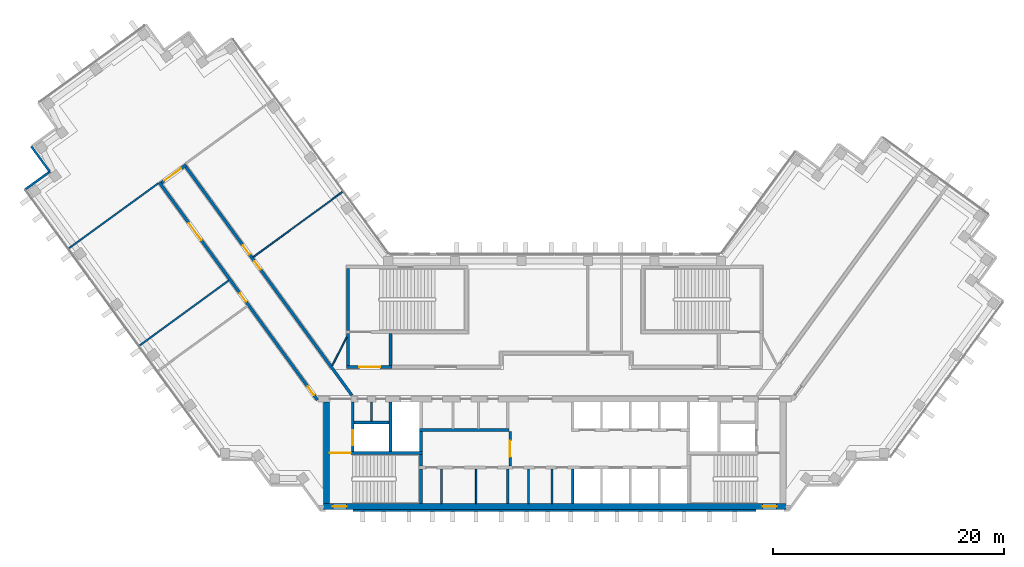
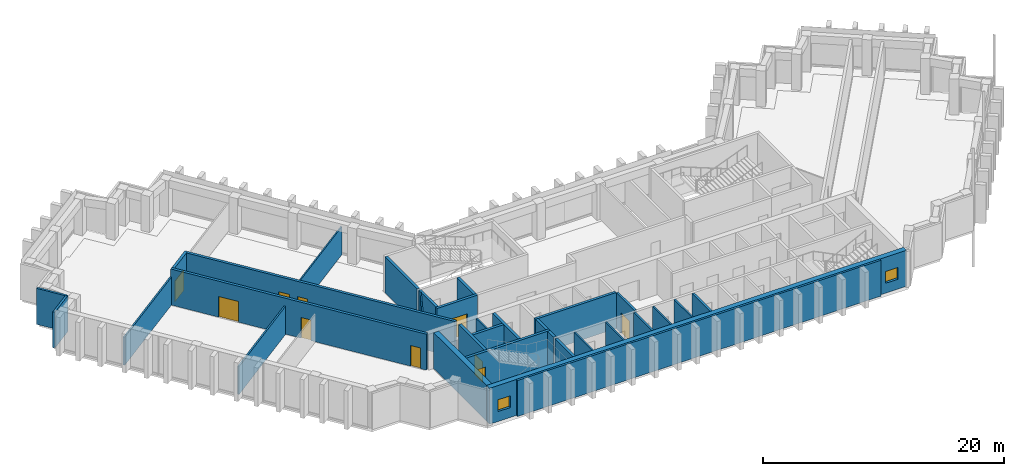
# One storey, part 4 of 9: 32 walls, 10 doors, 2 windows, 12 openings.
"""IFC4 building model written with IfcOpenShell, lengths in metres."""

from ifc_helpers import new_model, si_unit, direction, frame, frame_2d, origin, place, context, subcontext, project, spatial, rectangle, extrude, material, layer, layer_set, type_object, element, fill, save


model = new_model("IFC4")

# Units and contexts
model_context = context("Model", 3, precision=1e-05, world=origin(), true_north=direction((0.0, 1.0)))
body_context = subcontext(model_context, "Body", "Model", "MODEL_VIEW")
ifc_project = project(units=[si_unit("LENGTHUNIT", "METRE"), si_unit("AREAUNIT", "SQUARE_METRE"), si_unit("VOLUMEUNIT", "CUBIC_METRE"), si_unit("PLANEANGLEUNIT", "RADIAN"), si_unit("MASSUNIT", "GRAM", prefix="KILO")], contexts=[model_context])

# Site, building, storey
site_placement = place(None, origin())
site = spatial("IfcSite", under=ifc_project, at=site_placement, CompositionType="ELEMENT")
building_placement = place(site_placement, origin())
building = spatial("IfcBuilding", under=site, at=building_placement, Name="Quipu Civic Tower", CompositionType="ELEMENT")
storey_placement = place(building_placement, frame((0.0, 0.0, 226.0)))
storey = spatial("IfcBuildingStorey", under=building, at=storey_placement, Name="L53", CompositionType="ELEMENT", Elevation=226.0)

# Walls
ifc_material_1 = material(Name="Double gypsum plasterboard with mineral wool")
ifc_layer_1 = layer(ifc_material_1, 0.14990234375)
ifc_layer_set_1 = layer_set([ifc_layer_1], Name="Double gypsum plasterboard with mineral wool")
wall_type_1 = type_object("IfcWallType", Name="Acoustic partition 150 plasterboard", PredefinedType="PARTITIONING", material=ifc_layer_set_1)
wall_1_placement = place(storey_placement, frame((-42.035888671875, 11.615478515625, 0.0), z_axis=(0.0, 0.0, 1.0), x_axis=(0.808985331811, 0.587828829605, 0.0)))
element("IfcWall", 1, at=wall_1_placement, inside=storey, type_object=wall_type_1, Name="Partition P01", PredefinedType="PARTITIONING", context=body_context, shape_type="SweptSolid", body=[
    extrude(rectangle(XDim=9.56982421875, YDim=0.14990234375, at=frame_2d((4.784912109375, 0.0))), origin(), (0.0, 0.0, 1.0), 2.85009765625),
])
wall_2_placement = place(storey_placement, frame((-35.919189453125, 3.196533203125, 0.0), z_axis=(0.0, 0.0, 1.0), x_axis=(0.807645841498, 0.589667868135, 0.0)))
element("IfcWall", 2, at=wall_2_placement, inside=storey, type_object=wall_type_1, Name="Partition P05", PredefinedType="PARTITIONING", context=body_context, shape_type="SweptSolid", body=[
    extrude(rectangle(XDim=9.550537109375, YDim=0.14990234375, at=frame_2d((4.775390625, 0.0))), origin(), (0.0, 0.0, 1.0), 2.85009765625),
])
ifc_material_2 = material(Name="Concrete C70/85", Category="concrete")
ifc_layer_2 = layer(ifc_material_2, 0.25)
ifc_layer_set_2 = layer_set([ifc_layer_2], Name="Concrete C70/85")
wall_type_2 = type_object("IfcWallType", Name="Core wall 250", PredefinedType="SHEAR", material=ifc_layer_set_2)
wall_3_placement = place(storey_placement, frame((-11.574951171875, -10.5, 0.0), z_axis=(0.0, 0.0, 1.0), x_axis=(0.0, 1.0, 0.0)))
element("IfcWall", 3, at=wall_3_placement, inside=storey, type_object=wall_type_2, Name="Core wall", PredefinedType="SHEAR", context=body_context, shape_type="SweptSolid", body=[
    extrude(rectangle(XDim=3.0, YDim=0.25, at=frame_2d((1.5, 0.0))), origin(), (0.0, 0.0, 1.0), 3.64990234375),
])
wall_4_placement = place(storey_placement, frame((-11.574951171875, -7.25, 0.0), z_axis=(0.0, 0.0, 1.0), x_axis=(0.0, 1.0, 0.0)))
element("IfcWall", 4, at=wall_4_placement, inside=storey, type_object=wall_type_2, Name="Core wall", PredefinedType="SHEAR", context=body_context, shape_type="SweptSolid", body=[
    extrude(rectangle(XDim=1.0, YDim=0.25, at=frame_2d((0.5, 0.0))), origin(), (0.0, 0.0, 1.0), 3.64990234375),
])

# Wall, opening, door
wall_5_placement = place(storey_placement, frame((-11.449951171875, -6.125, 0.0), z_axis=(0.0, 0.0, 1.0), x_axis=(-1.0, 0.0, 0.0)))
wall_5 = element("IfcWall", 5, at=wall_5_placement, inside=storey, type_object=wall_type_2, Name="Core wall", PredefinedType="SHEAR", context=body_context, shape_type="SweptSolid", body=[
    extrude(rectangle(XDim=8.050048828125, YDim=0.25, at=frame_2d((4.02490234375, 0.0))), origin(), (0.0, 0.0, 1.0), 3.64990234375),
])
opening_1_placement = place(wall_5_placement, frame((6.199951171875, 0.0, 0.0)))
opening_1 = element("IfcOpeningElement", 6, at=opening_1_placement, cuts=wall_5, Name="Opening CD-07", PredefinedType="OPENING", context=body_context, shape_type="SweptSolid", body=[
    extrude(rectangle(XDim=1.800048828125, YDim=2.10009765625, at=frame_2d((0.89990234375, 1.050048828125))), frame((0.0, 0.135009765625, 0.0), z_axis=(0.0, -1.0, 0.0), x_axis=(1.0, 0.0, 0.0)), (0.0, 0.0, 1.0), 0.27001953125),
])
ifc_material_3 = material(Name="Fire rated steel door", Category="steel")
door_type_1 = type_object("IfcDoorType", Name="Fire door FD90 double 1800 x 2100", OperationType="NOTDEFINED", PredefinedType="DOOR", material=ifc_material_3)
door_1_placement = place(opening_1_placement, origin())
door_1 = element("IfcDoor", 7, at=door_1_placement, inside=storey, type_object=door_type_1, Name="Door", OperationType="DOUBLE_DOOR_SINGLE_SWING", OverallHeight=2.10009765625, OverallWidth=1.800048828125, PredefinedType="DOOR", context=body_context, shape_type="SweptSolid", body=[
    extrude(rectangle(XDim=1.800048828125, YDim=2.10009765625, at=frame_2d((0.89990234375, 1.050048828125))), frame((0.0, 0.02490234375, 0.0), z_axis=(0.0, -1.0, 0.0), x_axis=(1.0, 0.0, 0.0)), (0.0, 0.0, 1.0), 0.050048828125),
])
fill(opening_1, door_1)

wall_6_placement = place(storey_placement, frame((-17.47509765625, -6.0, 0.0), z_axis=(0.0, 0.0, 1.0), x_axis=(0.0, 1.0, 0.0)))
wall_6 = element("IfcWall", 8, at=wall_6_placement, inside=storey, type_object=wall_type_2, Name="Core wall", PredefinedType="SHEAR", context=body_context, shape_type="SweptSolid", body=[
    extrude(rectangle(XDim=4.300048828125, YDim=0.25, at=frame_2d((2.14990234375, 0.0))), origin(), (0.0, 0.0, 1.0), 3.64990234375),
])
opening_2_placement = place(wall_6_placement, frame((0.550048828125, 0.0, 0.0)))
opening_2 = element("IfcOpeningElement", 9, at=opening_2_placement, cuts=wall_6, Name="Opening LD-FF1", PredefinedType="OPENING", context=body_context, shape_type="SweptSolid", body=[
    extrude(rectangle(XDim=1.300048828125, YDim=2.10009765625, at=frame_2d((0.64990234375, 1.050048828125))), frame((0.0, 0.135009765625, 0.0), z_axis=(0.0, -1.0, 0.0), x_axis=(1.0, 0.0, 0.0)), (0.0, 0.0, 1.0), 0.27001953125),
])
ifc_material_4 = material(Name="Stainless steel", Category="steel")
door_type_2 = type_object("IfcDoorType", Name="Lift landing door 1300 x 2100", OperationType="DOUBLE_DOOR_SLIDING", PredefinedType="DOOR", material=ifc_material_4)
door_2_placement = place(opening_2_placement, origin())
door_2 = element("IfcDoor", 10, at=door_2_placement, inside=storey, type_object=door_type_2, Name="Landing door FF1", OperationType="DOUBLE_DOOR_SLIDING", OverallHeight=2.10009765625, OverallWidth=1.300048828125, PredefinedType="DOOR", context=body_context, shape_type="SweptSolid", body=[
    extrude(rectangle(XDim=1.300048828125, YDim=2.10009765625, at=frame_2d((0.64990234375, 1.050048828125))), frame((0.0, 0.02490234375, 0.0), z_axis=(0.0, -1.0, 0.0), x_axis=(1.0, 0.0, 0.0)), (0.0, 0.0, 1.0), 0.050048828125),
])
fill(opening_2, door_2)

# Walls
wall_7_placement = place(storey_placement, frame((-14.22509765625, -6.0, 0.0), z_axis=(0.0, 0.0, 1.0), x_axis=(0.0, 1.0, 0.0)))
element("IfcWall", 11, at=wall_7_placement, inside=storey, type_object=wall_type_2, Name="Core wall", PredefinedType="SHEAR", context=body_context, shape_type="SweptSolid", body=[
    extrude(rectangle(XDim=4.300048828125, YDim=0.25, at=frame_2d((2.14990234375, 0.0))), origin(), (0.0, 0.0, 1.0), 3.64990234375),
])
wall_8_placement = place(storey_placement, frame((-11.574951171875, -6.0, 0.0), z_axis=(0.0, 0.0, 1.0), x_axis=(0.0, 1.0, 0.0)))
element("IfcWall", 12, at=wall_8_placement, inside=storey, type_object=wall_type_2, Name="Core wall", PredefinedType="SHEAR", context=body_context, shape_type="SweptSolid", body=[
    extrude(rectangle(XDim=1.75, YDim=0.25, at=frame_2d((0.875, 0.0))), origin(), (0.0, 0.0, 1.0), 3.64990234375),
])
wall_9_placement = place(storey_placement, frame((-11.699951171875, -4.125, 0.0), z_axis=(0.0, 0.0, 1.0), x_axis=(1.0, 0.0, 0.0)))
element("IfcWall", 13, at=wall_9_placement, inside=storey, type_object=wall_type_2, Name="Core wall", PredefinedType="SHEAR", context=body_context, shape_type="SweptSolid", body=[
    extrude(rectangle(XDim=7.75, YDim=0.25, at=frame_2d((3.875, 0.0))), origin(), (0.0, 0.0, 1.0), 3.64990234375),
])
wall_10_placement = place(storey_placement, frame((-17.35009765625, -3.47509765625, 0.0), z_axis=(0.0, 0.0, 1.0), x_axis=(1.0, 0.0, 0.0)))
element("IfcWall", 14, at=wall_10_placement, inside=storey, type_object=wall_type_2, Name="Core wall", PredefinedType="SHEAR", context=body_context, shape_type="SweptSolid", body=[
    extrude(rectangle(XDim=3.0, YDim=0.25, at=frame_2d((1.5, 0.0))), origin(), (0.0, 0.0, 1.0), 3.64990234375),
])

# Wall, opening, door
wall_11_placement = place(storey_placement, frame((-18.0, 1.324951171875, 0.0), z_axis=(0.0, 0.0, 1.0), x_axis=(1.0, 0.0, 0.0)))
wall_11 = element("IfcWall", 15, at=wall_11_placement, inside=storey, type_object=wall_type_2, Name="Core wall", PredefinedType="SHEAR", context=body_context, shape_type="SweptSolid", body=[
    extrude(rectangle(XDim=3.89990234375, YDim=0.25, at=frame_2d((1.949951171875, 0.0))), origin(), (0.0, 0.0, 1.0), 3.64990234375),
])
opening_3_placement = place(wall_11_placement, frame((1.10009765625, 0.0, 0.0)))
opening_3 = element("IfcOpeningElement", 16, at=opening_3_placement, cuts=wall_11, Name="Opening CD-21", PredefinedType="OPENING", context=body_context, shape_type="SweptSolid", body=[
    extrude(rectangle(XDim=1.800048828125, YDim=2.10009765625, at=frame_2d((0.89990234375, 1.050048828125))), frame((0.0, 0.135009765625, 0.0), z_axis=(0.0, -1.0, 0.0), x_axis=(1.0, 0.0, 0.0)), (0.0, 0.0, 1.0), 0.27001953125),
])
door_3_placement = place(opening_3_placement, origin())
door_3 = element("IfcDoor", 17, at=door_3_placement, inside=storey, type_object=door_type_1, Name="Lobby door", OperationType="DOUBLE_DOOR_SINGLE_SWING", OverallHeight=2.10009765625, OverallWidth=1.800048828125, PredefinedType="DOOR", context=body_context, shape_type="SweptSolid", body=[
    extrude(rectangle(XDim=1.800048828125, YDim=2.10009765625, at=frame_2d((0.89990234375, 1.050048828125))), frame((0.0, 0.02490234375, 0.0), z_axis=(0.0, -1.0, 0.0), x_axis=(1.0, 0.0, 0.0)), (0.0, 0.0, 1.0), 0.050048828125),
])
fill(opening_3, door_3)

# Walls
for number, where, z_axis, x_axis, name in (
    (18, (-17.875, 1.449951171875, 0.0), (0.0, 0.0, 1.0), (0.0, 1.0, 0.0), "Core wall"),
    (19, (-14.22509765625, 1.449951171875, 0.0), (0.0, 0.0, 1.0), (0.0, 1.0, 0.0), "Core wall"),
):
    element("IfcWall", number, at=place(storey_placement, frame(where, z_axis=z_axis, x_axis=x_axis)), inside=storey, type_object=wall_type_2, Name=name, PredefinedType="SHEAR", context=body_context, shape_type="SweptSolid", body=[
        extrude(rectangle(XDim=2.800048828125, YDim=0.25, at=frame_2d((1.39990234375, 0.0))), origin(), (0.0, 0.0, 1.0), 3.64990234375),
    ])
wall_12_placement = place(storey_placement, frame((-17.875, 4.5, 0.0), z_axis=(0.0, 0.0, 1.0), x_axis=(0.0, 1.0, 0.0)))
element("IfcWall", 20, at=wall_12_placement, inside=storey, type_object=wall_type_2, Name="Core wall", PredefinedType="SHEAR", context=body_context, shape_type="SweptSolid", body=[
    extrude(rectangle(XDim=5.35009765625, YDim=0.25, at=frame_2d((2.675048828125, 0.0))), origin(), (0.0, 0.0, 1.0), 3.64990234375),
])

# Wall, openings, windows
ifc_material_5 = material(Name="Concrete C70/85", Category="concrete")
ifc_layer_3 = layer(ifc_material_5, 0.5)
ifc_layer_set_3 = layer_set([ifc_layer_3], Name="Concrete C70/85")
wall_type_3 = type_object("IfcWallType", Name="Core wall 500", PredefinedType="SHEAR", material=ifc_layer_set_3)
wall_13_placement = place(storey_placement, frame((-20.0, -10.75, 0.0), z_axis=(0.0, 0.0, 1.0), x_axis=(1.0, 0.0, 0.0)))
wall_13 = element("IfcWall", 21, at=wall_13_placement, inside=storey, type_object=wall_type_3, Name="Core wall", PredefinedType="SHEAR", context=body_context, shape_type="SweptSolid", body=[
    extrude(rectangle(XDim=40.0, YDim=0.5, at=frame_2d((20.0, 0.0))), origin(), (0.0, 0.0, 1.0), 3.64990234375),
])
opening_4_placement = place(wall_13_placement, frame((0.800048828125, 0.0, 1.0)))
opening_4 = element("IfcOpeningElement", 22, at=opening_4_placement, cuts=wall_13, Name="Opening SV-1", PredefinedType="OPENING", context=body_context, shape_type="SweptSolid", body=[
    extrude(rectangle(XDim=1.199951171875, YDim=1.199951171875, at=frame_2d((0.60009765625, 0.60009765625))), frame((0.0, 0.260009765625, 0.0), z_axis=(0.0, -1.0, 0.0), x_axis=(1.0, 0.0, 0.0)), (0.0, 0.0, 1.0), 0.52001953125),
])
opening_5_placement = place(wall_13_placement, frame((38.0, 0.0, 1.0)))
opening_5 = element("IfcOpeningElement", 23, at=opening_5_placement, cuts=wall_13, Name="Opening SV-2", PredefinedType="OPENING", context=body_context, shape_type="SweptSolid", body=[
    extrude(rectangle(XDim=1.199951171875, YDim=1.199951171875, at=frame_2d((0.60009765625, 0.60009765625))), frame((0.0, 0.260009765625, 0.0), z_axis=(0.0, -1.0, 0.0), x_axis=(1.0, 0.0, 0.0)), (0.0, 0.0, 1.0), 0.52001953125),
])
ifc_material_6 = material(Name="Aluminium louvre", Category="aluminium")
window_type = type_object("IfcWindowType", Name="Stair ventilation louvre 1200 x 1200", PartitioningType="SINGLE_PANEL", PredefinedType="WINDOW", material=ifc_material_6)
window_1_placement = place(opening_4_placement, origin())
window_1 = element("IfcWindow", 24, at=window_1_placement, inside=storey, type_object=window_type, Name="Stair ventilation opening", OverallHeight=1.199951171875, OverallWidth=1.199951171875, PartitioningType="SINGLE_PANEL", PredefinedType="WINDOW", context=body_context, shape_type="SweptSolid", body=[
    extrude(rectangle(XDim=1.199951171875, YDim=1.199951171875, at=frame_2d((0.60009765625, 0.60009765625))), frame((0.0, 0.030029296875, 0.0), z_axis=(0.0, -1.0, 0.0), x_axis=(1.0, 0.0, 0.0)), (0.0, 0.0, 1.0), 0.06005859375),
])
fill(opening_4, window_1)
window_2_placement = place(opening_5_placement, origin())
window_2 = element("IfcWindow", 25, at=window_2_placement, inside=storey, type_object=window_type, Name="Stair ventilation opening", OverallHeight=1.199951171875, OverallWidth=1.199951171875, PartitioningType="SINGLE_PANEL", PredefinedType="WINDOW", context=body_context, shape_type="SweptSolid", body=[
    extrude(rectangle(XDim=1.199951171875, YDim=1.199951171875, at=frame_2d((0.60009765625, 0.60009765625))), frame((0.0, 0.030029296875, 0.0), z_axis=(0.0, -1.0, 0.0), x_axis=(1.0, 0.0, 0.0)), (0.0, 0.0, 1.0), 0.06005859375),
])
fill(opening_5, window_2)

# Wall
wall_14_placement = place(storey_placement, frame((-19.75, -10.5, 0.0), z_axis=(0.0, 0.0, 1.0), x_axis=(0.0, 1.0, 0.0)))
element("IfcWall", 26, at=wall_14_placement, inside=storey, type_object=wall_type_3, Name="Core wall", PredefinedType="SHEAR", context=body_context, shape_type="SweptSolid", body=[
    extrude(rectangle(XDim=8.800048828125, YDim=0.5, at=frame_2d((4.39990234375, 0.0))), origin(), (0.0, 0.0, 1.0), 3.64990234375),
])

# Wall, openings, doors
ifc_material_7 = material(Name="Concrete C50/60", Category="concrete")
ifc_layer_4 = layer(ifc_material_7, 0.25)
ifc_layer_set_4 = layer_set([ifc_layer_4], Name="Concrete C50/60")
wall_type_4 = type_object("IfcWallType", Name="Corridor wall 250 concrete", PredefinedType="SOLIDWALL", material=ifc_layer_set_4)
wall_15_placement = place(storey_placement, frame((-20.531005859375, -1.5234375, 0.0), z_axis=(0.0, 0.0, 1.0), x_axis=(-0.587784239999, 0.809017729849, 0.0)))
wall_15 = element("IfcWall", 27, at=wall_15_placement, inside=storey, type_object=wall_type_4, Name="Corridor wall C04", PredefinedType="SOLIDWALL", context=body_context, shape_type="SweptSolid", body=[
    extrude(rectangle(XDim=23.2705078125, YDim=0.25, at=frame_2d((11.63525390625, 0.0))), origin(), (0.0, 0.0, 1.0), 3.64990234375),
])
opening_6_placement = place(wall_15_placement, frame((0.53271484375, 0.0, 0.0)))
opening_6 = element("IfcOpeningElement", 28, at=opening_6_placement, cuts=wall_15, Name="Opening D010", PredefinedType="OPENING", context=body_context, shape_type="SweptSolid", body=[
    extrude(rectangle(XDim=0.89990234375, YDim=2.10009765625, at=frame_2d((0.449951171875, 1.050048828125))), frame((0.0, 0.135009765625, 0.0), z_axis=(0.0, -1.0, 0.0), x_axis=(1.0, 0.0, 0.0)), (0.0, 0.0, 1.0), 0.27001953125),
])
opening_7_placement = place(wall_15_placement, frame((17.10595703125, 0.0, 0.0)))
opening_7 = element("IfcOpeningElement", 29, at=opening_7_placement, cuts=wall_15, Name="Opening D008", PredefinedType="OPENING", context=body_context, shape_type="SweptSolid", body=[
    extrude(rectangle(XDim=1.800048828125, YDim=2.10009765625, at=frame_2d((0.89990234375, 1.050048828125))), frame((0.0, 0.135009765625, 0.0), z_axis=(0.0, -1.0, 0.0), x_axis=(1.0, 0.0, 0.0)), (0.0, 0.0, 1.0), 0.27001953125),
])
opening_8_placement = place(wall_15_placement, frame((10.515625, 0.0, 0.0)))
opening_8 = element("IfcOpeningElement", 30, at=opening_8_placement, cuts=wall_15, Name="Opening D009", PredefinedType="OPENING", context=body_context, shape_type="SweptSolid", body=[
    extrude(rectangle(XDim=0.89990234375, YDim=2.10009765625, at=frame_2d((0.449951171875, 1.050048828125))), frame((0.0, 0.135009765625, 0.0), z_axis=(0.0, -1.0, 0.0), x_axis=(1.0, 0.0, 0.0)), (0.0, 0.0, 1.0), 0.27001953125),
])
ifc_material_8 = material(Name="Fire rated timber door set with metal frame", Category="wood")
door_type_3 = type_object("IfcDoorType", Name="Double door 1800 x 2100 FD60", OperationType="DOUBLE_DOOR_SINGLE_SWING", PredefinedType="DOOR", material=ifc_material_8)
door_4_placement = place(opening_7_placement, origin())
door_4 = element("IfcDoor", 31, at=door_4_placement, inside=storey, type_object=door_type_3, Name="Door D008", OperationType="DOUBLE_DOOR_SINGLE_SWING", OverallHeight=2.10009765625, OverallWidth=1.800048828125, PredefinedType="DOOR", context=body_context, shape_type="SweptSolid", body=[
    extrude(rectangle(XDim=1.800048828125, YDim=2.10009765625, at=frame_2d((0.89990234375, 1.050048828125))), frame((0.0, 0.02490234375, 0.0), z_axis=(0.0, -1.0, 0.0), x_axis=(1.0, 0.0, 0.0)), (0.0, 0.0, 1.0), 0.050048828125),
])
fill(opening_7, door_4)
ifc_material_9 = material(Name="Fire rated timber door set with metal frame", Category="wood")
door_type_4 = type_object("IfcDoorType", Name="Single door 900 x 2100 FD60", OperationType="NOTDEFINED", PredefinedType="DOOR", material=ifc_material_9)
door_5_placement = place(opening_6_placement, origin())
door_5 = element("IfcDoor", 32, at=door_5_placement, inside=storey, type_object=door_type_4, Name="Door D010", OperationType="SINGLE_SWING_LEFT", OverallHeight=2.10009765625, OverallWidth=0.89990234375, PredefinedType="DOOR", context=body_context, shape_type="SweptSolid", body=[
    extrude(rectangle(XDim=0.89990234375, YDim=2.10009765625, at=frame_2d((0.449951171875, 1.050048828125))), frame((0.0, 0.02490234375, 0.0), z_axis=(0.0, -1.0, 0.0), x_axis=(1.0, 0.0, 0.0)), (0.0, 0.0, 1.0), 0.050048828125),
])
fill(opening_6, door_5)
door_6_placement = place(opening_8_placement, origin())
door_6 = element("IfcDoor", 33, at=door_6_placement, inside=storey, type_object=door_type_4, Name="Door D009", OperationType="SINGLE_SWING_LEFT", OverallHeight=2.10009765625, OverallWidth=0.89990234375, PredefinedType="DOOR", context=body_context, shape_type="SweptSolid", body=[
    extrude(rectangle(XDim=0.89990234375, YDim=2.10009765625, at=frame_2d((0.449951171875, 1.050048828125))), frame((0.0, 0.02490234375, 0.0), z_axis=(0.0, -1.0, 0.0), x_axis=(1.0, 0.0, 0.0)), (0.0, 0.0, 1.0), 0.050048828125),
])
fill(opening_8, door_6)

# Wall, opening, door
wall_16_placement = place(storey_placement, frame((-34.0341796875, 17.275146484375, 0.0), z_axis=(0.0, 0.0, 1.0), x_axis=(0.809006914995, 0.587799125119, 0.0)))
wall_16 = element("IfcWall", 34, at=wall_16_placement, inside=storey, type_object=wall_type_4, Name="Corridor wall C05", PredefinedType="SOLIDWALL", context=body_context, shape_type="SweptSolid", body=[
    extrude(rectangle(XDim=2.64990234375, YDim=0.25, at=frame_2d((1.324951171875, 0.0))), origin(), (0.0, 0.0, 1.0), 3.64990234375),
])
opening_9_placement = place(wall_16_placement, frame((0.30029296875, 0.0, 0.0)))
opening_9 = element("IfcOpeningElement", 35, at=opening_9_placement, cuts=wall_16, Name="Opening D011", PredefinedType="OPENING", context=body_context, shape_type="SweptSolid", body=[
    extrude(rectangle(XDim=1.800048828125, YDim=2.10009765625, at=frame_2d((0.89990234375, 1.050048828125))), frame((0.0, 0.135009765625, 0.0), z_axis=(0.0, -1.0, 0.0), x_axis=(1.0, 0.0, 0.0)), (0.0, 0.0, 1.0), 0.27001953125),
])
door_7_placement = place(opening_9_placement, origin())
door_7 = element("IfcDoor", 36, at=door_7_placement, inside=storey, type_object=door_type_3, Name="Door D011", OperationType="DOUBLE_DOOR_SINGLE_SWING", OverallHeight=2.10009765625, OverallWidth=1.800048828125, PredefinedType="DOOR", context=body_context, shape_type="SweptSolid", body=[
    extrude(rectangle(XDim=1.800048828125, YDim=2.10009765625, at=frame_2d((0.89990234375, 1.050048828125))), frame((0.0, 0.02490234375, 0.0), z_axis=(0.0, -1.0, 0.0), x_axis=(1.0, 0.0, 0.0)), (0.0, 0.0, 1.0), 0.050048828125),
])
fill(opening_9, door_7)

# Wall, openings, doors
wall_17_placement = place(storey_placement, frame((-31.918212890625, 18.658203125, 0.0), z_axis=(0.0, 0.0, 1.0), x_axis=(0.587788731405, -0.80901446664, 0.0)))
wall_17 = element("IfcWall", 37, at=wall_17_placement, inside=storey, type_object=wall_type_4, Name="Corridor wall C06", PredefinedType="SOLIDWALL", context=body_context, shape_type="SweptSolid", body=[
    extrude(rectangle(XDim=24.453125, YDim=0.25, at=frame_2d((12.2265625, 0.0))), origin(), (0.0, 0.0, 1.0), 3.64990234375),
])
opening_10_placement = place(wall_17_placement, frame((8.39501953125, 0.0, 0.0)))
opening_10 = element("IfcOpeningElement", 38, at=opening_10_placement, cuts=wall_17, Name="Opening D006", PredefinedType="OPENING", context=body_context, shape_type="SweptSolid", body=[
    extrude(rectangle(XDim=1.0, YDim=2.10009765625, at=frame_2d((0.5, 1.050048828125))), frame((0.0, 0.135009765625, 0.0), z_axis=(0.0, -1.0, 0.0), x_axis=(1.0, 0.0, 0.0)), (0.0, 0.0, 1.0), 0.27001953125),
])
opening_11_placement = place(wall_17_placement, frame((10.09521484375, 0.0, 0.0)))
opening_11 = element("IfcOpeningElement", 39, at=opening_11_placement, cuts=wall_17, Name="Opening D007", PredefinedType="OPENING", context=body_context, shape_type="SweptSolid", body=[
    extrude(rectangle(XDim=0.89990234375, YDim=2.10009765625, at=frame_2d((0.449951171875, 1.050048828125))), frame((0.0, 0.135009765625, 0.0), z_axis=(0.0, -1.0, 0.0), x_axis=(1.0, 0.0, 0.0)), (0.0, 0.0, 1.0), 0.27001953125),
])
ifc_material_10 = material(Name="Fire rated timber door set with metal frame", Category="wood")
door_type_5 = type_object("IfcDoorType", Name="Single door 1000 x 2100 FD60", OperationType="NOTDEFINED", PredefinedType="DOOR", material=ifc_material_10)
door_8_placement = place(opening_10_placement, origin())
door_8 = element("IfcDoor", 40, at=door_8_placement, inside=storey, type_object=door_type_5, Name="Door D006", OperationType="SINGLE_SWING_RIGHT", OverallHeight=2.10009765625, OverallWidth=1.0, PredefinedType="DOOR", context=body_context, shape_type="SweptSolid", body=[
    extrude(rectangle(XDim=1.0, YDim=2.10009765625, at=frame_2d((0.5, 1.050048828125))), frame((0.0, 0.02490234375, 0.0), z_axis=(0.0, -1.0, 0.0), x_axis=(1.0, 0.0, 0.0)), (0.0, 0.0, 1.0), 0.050048828125),
])
fill(opening_10, door_8)
door_9_placement = place(opening_11_placement, origin())
door_9 = element("IfcDoor", 41, at=door_9_placement, inside=storey, type_object=door_type_4, Name="Door D007", OperationType="SINGLE_SWING_LEFT", OverallHeight=2.10009765625, OverallWidth=0.89990234375, PredefinedType="DOOR", context=body_context, shape_type="SweptSolid", body=[
    extrude(rectangle(XDim=0.89990234375, YDim=2.10009765625, at=frame_2d((0.449951171875, 1.050048828125))), frame((0.0, 0.02490234375, 0.0), z_axis=(0.0, -1.0, 0.0), x_axis=(1.0, 0.0, 0.0)), (0.0, 0.0, 1.0), 0.050048828125),
])
fill(opening_11, door_9)

# Walls
ifc_material_11 = material(Name="Gypsum plasterboard on light gauge framing")
ifc_layer_5 = layer(ifc_material_11, 0.1201171875)
ifc_layer_set_5 = layer_set([ifc_layer_5], Name="Gypsum plasterboard on light gauge framing")
wall_type_5 = type_object("IfcWallType", Name="Partition 120 plasterboard", PredefinedType="PARTITIONING", material=ifc_layer_set_5)
wall_18_placement = place(storey_placement, frame((-26.089111328125, 10.847900390625, 0.0), z_axis=(0.0, 0.0, 1.0), x_axis=(0.807661302092, 0.589646691759, 0.0)))
element("IfcWall", 42, at=wall_18_placement, inside=storey, type_object=wall_type_5, Name="Partition P06", PredefinedType="PARTITIONING", context=body_context, shape_type="SweptSolid", body=[
    extrude(rectangle(XDim=9.550048828125, YDim=0.1201171875, at=frame_2d((4.77490234375, 0.0))), origin(), (0.0, 0.0, 1.0), 2.85009765625),
])
wall_19_placement = place(storey_placement, frame((-19.260986328125, 1.449951171875, 0.0), z_axis=(0.0, 0.0, 1.0), x_axis=(0.453950796792, 0.891026752736, 0.0)))
element("IfcWall", 43, at=wall_19_placement, inside=storey, type_object=wall_type_5, Name="Partition P09", PredefinedType="PARTITIONING", context=body_context, shape_type="SweptSolid", body=[
    extrude(rectangle(XDim=2.77783203125, YDim=0.1201171875, at=frame_2d((1.388916015625, 0.0))), origin(), (0.0, 0.0, 1.0), 3.64990234375),
])
ifc_material_12 = material(Name="Gypsum board partition")
ifc_layer_6 = layer(ifc_material_12, 0.14990234375)
ifc_layer_set_6 = layer_set([ifc_layer_6], Name="Gypsum board partition")
wall_type_6 = type_object("IfcWallType", Name="Partition 150", PredefinedType="PARTITIONING", material=ifc_layer_set_6)
for number, where, z_axis, x_axis, name in (
    (44, (-9.800048828125, -10.5, 0.0), (0.0, 0.0, 1.0), (0.0, 1.0, 0.0), "Partition"),
    (45, (-6.800048828125, -10.5, 0.0), (0.0, 0.0, 1.0), (0.0, 1.0, 0.0), "Partition"),
    (46, (-2.27490234375, -10.5, 0.0), (0.0, 0.0, 1.0), (0.0, 1.0, 0.0), "Partition"),
    (47, (-0.22509765625, -10.5, 0.0), (0.0, 0.0, 1.0), (0.0, 1.0, 0.0), "Partition"),
):
    element("IfcWall", number, at=place(storey_placement, frame(where, z_axis=z_axis, x_axis=x_axis)), inside=storey, type_object=wall_type_6, Name=name, PredefinedType="PARTITIONING", context=body_context, shape_type="SweptSolid", body=[
        extrude(rectangle(XDim=3.0, YDim=0.14990234375, at=frame_2d((1.5, 0.0))), origin(), (0.0, 0.0, 1.0), 3.64990234375),
    ])
wall_20_placement = place(storey_placement, frame((-15.85009765625, -3.35009765625, 0.0), z_axis=(0.0, 0.0, 1.0), x_axis=(0.0, 1.0, 0.0)))
element("IfcWall", 48, at=wall_20_placement, inside=storey, type_object=wall_type_6, Name="Partition", PredefinedType="PARTITIONING", context=body_context, shape_type="SweptSolid", body=[
    extrude(rectangle(XDim=1.650146484375, YDim=0.14990234375, at=frame_2d((0.8251953125, 0.0))), origin(), (0.0, 0.0, 1.0), 3.64990234375),
])
ifc_material_13 = material(Name="Precast concrete C40/50", Category="concrete")
wall_type_7 = type_object("IfcWallType", Name="Precast cladding wall", PredefinedType="SOLIDWALL", material=ifc_material_13)
for number, where, z_axis, x_axis, name in (
    (49, (-45.29638671875, 20.43359375, 0.0), (0.0, 0.0, 1.0), (0.587762999008, -0.809033161865, 0.0), "Precast cladding wall L53 P09"),
    (50, (-43.658203125, 18.271728515625, 0.0), (0.0, 0.0, 1.0), (-0.808958916286, -0.58786518162, 0.0), "Precast cladding wall L53 P10"),
):
    element("IfcWall", number, at=place(storey_placement, frame(where, z_axis=z_axis, x_axis=x_axis)), inside=storey, type_object=wall_type_7, Name=name, PredefinedType="SOLIDWALL", context=body_context, shape_type="SweptSolid", body=[
        extrude(rectangle(XDim=2.699951171875, YDim=0.199951171875, at=frame_2d((1.35009765625, 0.0))), origin(), (0.0, 0.0, 1.0), 3.64990234375),
    ])
wall_21_placement = place(storey_placement, frame((-17.44384765625, -11.087890625, 0.0), z_axis=(0.0, 0.0, 1.0), x_axis=(1.0, 0.0, 0.0)))
element("IfcWall", 51, at=wall_21_placement, inside=storey, type_object=wall_type_7, Name="Precast cladding wall L53 P17", PredefinedType="SOLIDWALL", context=body_context, shape_type="SweptSolid", body=[
    extrude(rectangle(XDim=34.8876953125, YDim=0.199951171875, at=frame_2d((17.44384765625, 0.0))), origin(), (0.0, 0.0, 1.0), 3.64990234375),
])
ifc_material_14 = material(Name="Concrete C40/50", Category="concrete")
ifc_layer_7 = layer(ifc_material_14, 0.199951171875)
ifc_layer_set_7 = layer_set([ifc_layer_7], Name="Concrete C40/50")
wall_type_8 = type_object("IfcWallType", Name="Shaft wall 200", PredefinedType="SOLIDWALL", material=ifc_layer_set_7)
for number, where, z_axis, x_axis, name in (
    (52, (-4.050048828125, -10.5, 0.0), (0.0, 0.0, 1.0), (0.0, 1.0, 0.0), "Shaft wall"),
    (53, (1.550048828125, -10.5, 0.0), (0.0, 0.0, 1.0), (0.0, 1.0, 0.0), "Shaft wall"),
):
    element("IfcWall", number, at=place(storey_placement, frame(where, z_axis=z_axis, x_axis=x_axis)), inside=storey, type_object=wall_type_8, Name=name, PredefinedType="SOLIDWALL", context=body_context, shape_type="SweptSolid", body=[
        extrude(rectangle(XDim=3.0, YDim=0.199951171875, at=frame_2d((1.5, 0.0))), origin(), (0.0, 0.0, 1.0), 3.64990234375),
    ])

# Wall, opening, door
wall_22_placement = place(storey_placement, frame((-3.85009765625, -4.25, 0.0), z_axis=(0.0, 0.0, 1.0), x_axis=(0.0, -1.0, 0.0)))
wall_22 = element("IfcWall", 54, at=wall_22_placement, inside=storey, type_object=wall_type_8, Name="Shaft wall", PredefinedType="SOLIDWALL", context=body_context, shape_type="SweptSolid", body=[
    extrude(rectangle(XDim=3.0, YDim=0.199951171875, at=frame_2d((1.5, 0.0))), origin(), (0.0, 0.0, 1.0), 3.64990234375),
])
opening_12_placement = place(wall_22_placement, frame((0.800048828125, 0.0, 0.0)))
opening_12 = element("IfcOpeningElement", 55, at=opening_12_placement, cuts=wall_22, Name="Opening CD-09", PredefinedType="OPENING", context=body_context, shape_type="SweptSolid", body=[
    extrude(rectangle(XDim=1.39990234375, YDim=2.10009765625, at=frame_2d((0.699951171875, 1.050048828125))), frame((0.0, 0.10986328125, 0.0), z_axis=(0.0, -1.0, 0.0), x_axis=(1.0, 0.0, 0.0)), (0.0, 0.0, 1.0), 0.219970703125),
])
ifc_material_15 = material(Name="Fire rated steel door", Category="steel")
door_type_6 = type_object("IfcDoorType", Name="Fire door FD60 double 1400 x 2100", OperationType="NOTDEFINED", PredefinedType="DOOR", material=ifc_material_15)
door_10_placement = place(opening_12_placement, origin())
door_10 = element("IfcDoor", 56, at=door_10_placement, inside=storey, type_object=door_type_6, Name="Hall door", OperationType="DOUBLE_DOOR_SINGLE_SWING", OverallHeight=2.10009765625, OverallWidth=1.39990234375, PredefinedType="DOOR", context=body_context, shape_type="SweptSolid", body=[
    extrude(rectangle(XDim=1.39990234375, YDim=2.10009765625, at=frame_2d((0.699951171875, 1.050048828125))), frame((0.0, 0.02490234375, 0.0), z_axis=(0.0, -1.0, 0.0), x_axis=(1.0, 0.0, 0.0)), (0.0, 0.0, 1.0), 0.050048828125),
])
fill(opening_12, door_10)

save(model, "model.ifc")
